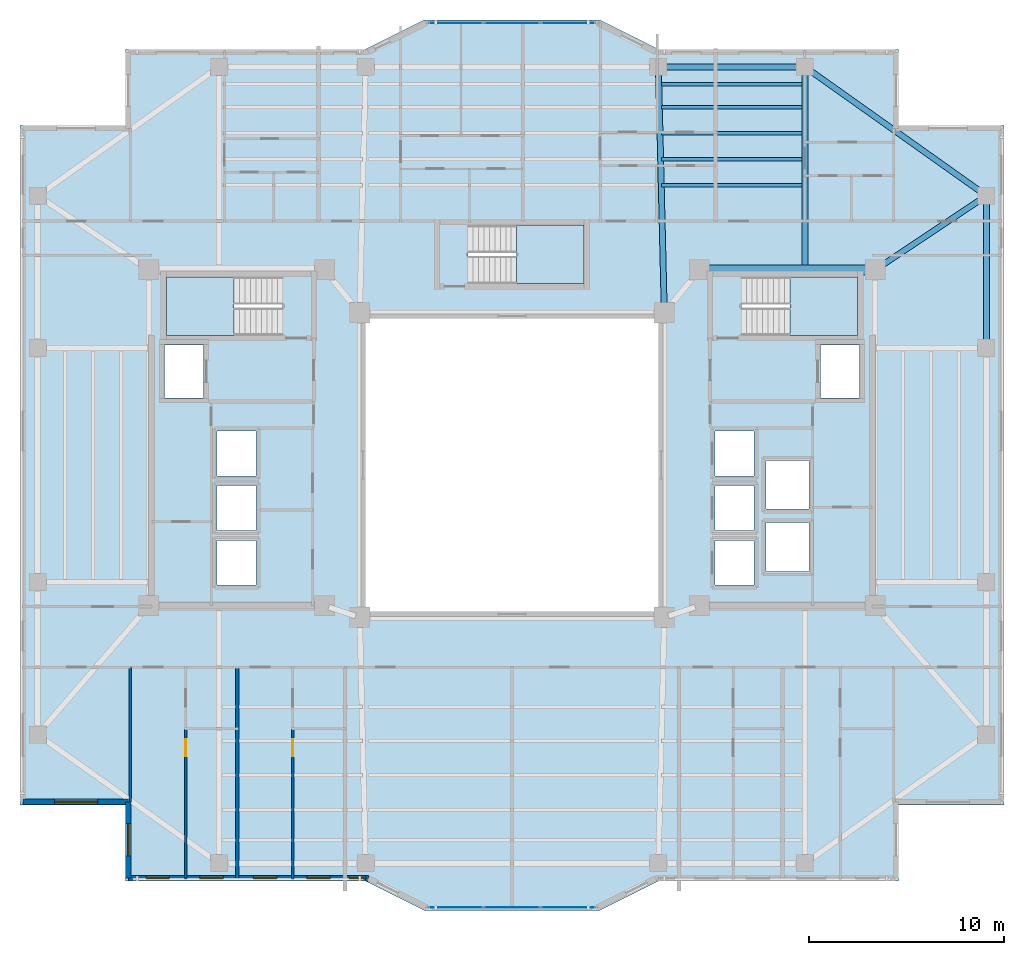
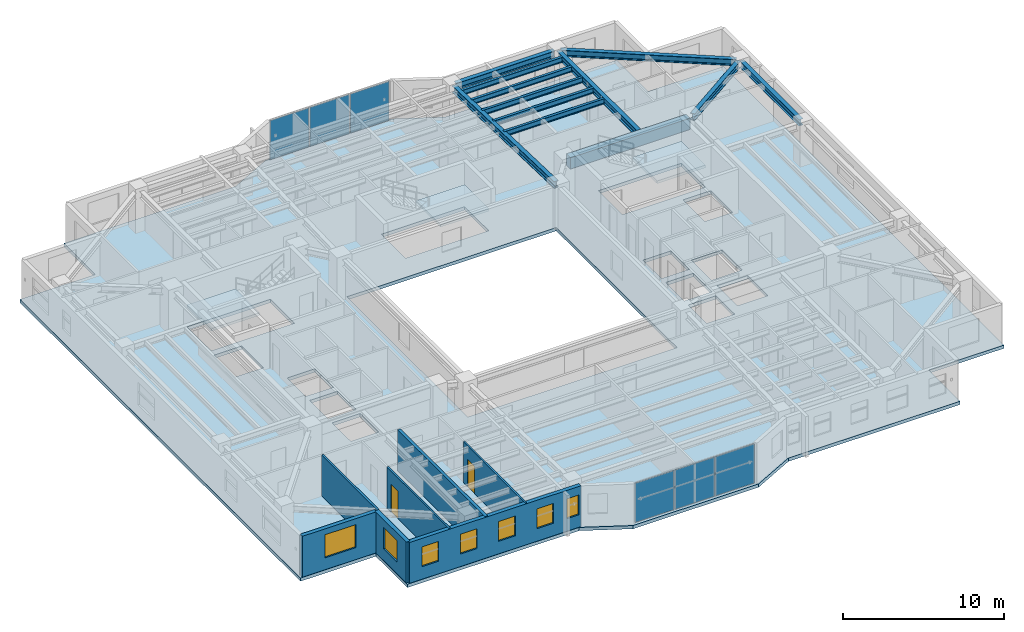
# One storey, part 5 of 16: 12 beams, 7 walls, 7 windows, 6 plates, 4 slabs, 2 doors, 9 openings, 5 elements without a shape of their own.
"""IFC4 building model written with IfcOpenShell, lengths in metres."""

from ifc_helpers import new_model, si_unit, direction, frame, frame_2d, origin, origin_2d, place, context, subcontext, project, spatial, polyline, rectangle, i_section, outline, extrude, material, layer, layer_set, material_profile, profile_set, type_object, element, fill, aggregate, save


model = new_model("IFC4")

# Units and contexts
model_context = context("Model", 3, precision=1e-05, world=origin(), true_north=direction((0.0, 1.0)))
body_context = subcontext(model_context, "Body", "Model", "MODEL_VIEW")
ifc_project = project(units=[si_unit("LENGTHUNIT", "METRE"), si_unit("AREAUNIT", "SQUARE_METRE"), si_unit("VOLUMEUNIT", "CUBIC_METRE"), si_unit("PLANEANGLEUNIT", "RADIAN"), si_unit("MASSUNIT", "GRAM", prefix="KILO")], contexts=[model_context])

# Site, building, storey
site_placement = place(None, origin())
site = spatial("IfcSite", under=ifc_project, at=site_placement, CompositionType="ELEMENT")
building_placement = place(site_placement, origin())
building = spatial("IfcBuilding", under=site, at=building_placement, Name="Tarnavaz Court Tower", CompositionType="ELEMENT")
storey_placement = place(building_placement, frame((0.0, 0.0, 152.699951171875)))
storey = spatial("IfcBuildingStorey", under=building, at=storey_placement, Name="L41", CompositionType="ELEMENT", Elevation=152.699951171875)

# Beams
ifc_material_1 = material(Name="Concrete C50/60", Category="concrete")
ifc_material_profile_1 = material_profile(ifc_material_1, rectangle(XDim=0.5, YDim=0.85009765625, at=origin_2d()), Name="RC 500X850")
ifc_profile_set_1 = profile_set([ifc_material_profile_1], Name="Concrete C50/60")
beam_type_1 = type_object("IfcBeamType", Name="BM-CB850", PredefinedType="LINTEL", material=ifc_profile_set_1)
beam_1_placement = place(storey_placement, frame((18.3798828125, 10.0, 2.675048828125), z_axis=(-1.0, 0.0, 0.0), x_axis=(0.0, -1.0, 0.0)))
element("IfcBeam", 1, at=beam_1_placement, inside=storey, type_object=beam_type_1, Name="L41 Beam IN-CE-NO-CE-NI", PredefinedType="LINTEL", context=body_context, shape_type="SweptSolid", body=[
    extrude(rectangle(XDim=0.5, YDim=0.85009765625, at=origin_2d()), origin(), (0.0, 0.0, 1.0), 8.559814453125),
])
ifc_material_2 = material(Name="Steel S355", Category="steel")
ifc_material_profile_2 = material_profile(ifc_material_2, i_section(OverallWidth=0.300048828125, OverallDepth=0.5, WebThickness=0.014404296875, FlangeThickness=0.028076171875, FilletRadius=0.027099609375, at=origin_2d()), Name="HEB 500")
ifc_profile_set_2 = profile_set([ifc_material_profile_2], Name="Steel S355")
beam_type_2 = type_object("IfcBeamType", Name="BM-G-HEB500", PredefinedType="USERDEFINED", material=ifc_profile_set_2)
beam_2_placement = place(storey_placement, frame((7.794921875, 8.02001953125, 2.85009765625), z_axis=(-0.023824748444, 0.999716150395, 0.0), x_axis=(-0.999716150395, -0.023824748444, 0.0)))
element("IfcBeam", 2, at=beam_2_placement, inside=storey, type_object=beam_type_2, Name="L41 Beam RG-03", ObjectType="GIRDER", PredefinedType="USERDEFINED", context=body_context, shape_type="SweptSolid", body=[
    extrude(i_section(OverallWidth=0.300048828125, OverallDepth=0.5, WebThickness=0.014404296875, FlangeThickness=0.028076171875, FilletRadius=0.027099609375, at=origin_2d()), origin(), (0.0, 0.0, 1.0), 12.16357421875),
])
beam_3_placement = place(storey_placement, frame((15.0, 10.0400390625, 2.85009765625), z_axis=(0.0, 1.0, 0.0), x_axis=(-1.0, 0.0, 0.0)))
element("IfcBeam", 3, at=beam_3_placement, inside=storey, type_object=beam_type_2, Name="L41 Beam RG-04", ObjectType="GIRDER", PredefinedType="USERDEFINED", context=body_context, shape_type="SweptSolid", body=[
    extrude(i_section(OverallWidth=0.300048828125, OverallDepth=0.5, WebThickness=0.014404296875, FlangeThickness=0.028076171875, FilletRadius=0.027099609375, at=origin_2d()), origin(), (0.0, 0.0, 1.0), 10.139892578125),
])
beam_4_placement = place(storey_placement, frame((18.783203125, 10.1220703125, 2.85009765625), z_axis=(0.832044435051, 0.554708985056, 0.0), x_axis=(-0.554708985056, 0.832044435051, 0.0)))
element("IfcBeam", 4, at=beam_4_placement, inside=storey, type_object=beam_type_2, Name="L41 Beam RG-12", ObjectType="GIRDER", PredefinedType="USERDEFINED", context=body_context, shape_type="SweptSolid", body=[
    extrude(i_section(OverallWidth=0.300048828125, OverallDepth=0.5, WebThickness=0.014404296875, FlangeThickness=0.028076171875, FilletRadius=0.027099609375, at=origin_2d()), origin(), (0.0, 0.0, 1.0), 6.410400390625),
])
ifc_material_profile_3 = material_profile(ifc_material_2, i_section(OverallWidth=0.179931640625, OverallDepth=0.39990234375, WebThickness=0.008544921875, FlangeThickness=0.013427734375, FilletRadius=0.02099609375, at=origin_2d()), Name="IPE 400")
ifc_profile_set_3 = profile_set([ifc_material_profile_3], Name="Steel S355")
beam_type_3 = type_object("IfcBeamType", Name="BM-J-IPE400", PredefinedType="JOIST", material=ifc_profile_set_3)
for number, where, z_axis, x_axis, name in (
    (5, (7.64990234375, 14.33203125, 2.900146484375), (1.0, 0.0, 0.0), (0.0, 1.0, 0.0), "L41 Beam JN1-3"),
    (6, (7.64990234375, 15.6640625, 2.900146484375), (1.0, 0.0, 0.0), (0.0, 1.0, 0.0), "L41 Beam JN2-3"),
    (7, (7.64990234375, 16.99609375, 2.900146484375), (1.0, 0.0, 0.0), (0.0, 1.0, 0.0), "L41 Beam JN3-3"),
    (8, (7.64990234375, 18.327880859375, 2.900146484375), (1.0, 0.0, 0.0), (0.0, 1.0, 0.0), "L41 Beam JN4-3"),
    (9, (7.64990234375, 19.511962890625, 2.900146484375), (1.0, 0.0, 0.0), (0.0, 1.0, 0.0), "L41 Beam JN5-3"),
):
    element("IfcBeam", number, at=place(storey_placement, frame(where, z_axis=z_axis, x_axis=x_axis)), inside=storey, type_object=beam_type_3, Name=name, PredefinedType="JOIST", context=body_context, shape_type="SweptSolid", body=[
        extrude(i_section(OverallWidth=0.179931640625, OverallDepth=0.39990234375, WebThickness=0.008544921875, FlangeThickness=0.013427734375, FilletRadius=0.02099609375, at=origin_2d()), origin(), (0.0, 0.0, 1.0), 7.2001953125),
    ])
ifc_material_profile_4 = material_profile(ifc_material_2, i_section(OverallWidth=0.300048828125, OverallDepth=0.489990234375, WebThickness=0.011962890625, FlangeThickness=0.02294921875, FilletRadius=0.027099609375, at=origin_2d()), Name="HEA 500")
ifc_profile_set_4 = profile_set([ifc_material_profile_4], Name="Steel S355")
beam_type_4 = type_object("IfcBeamType", Name="BM-SP-HEA500", PredefinedType="SPANDREL", material=ifc_profile_set_4)
beam_5_placement = place(storey_placement, frame((7.719970703125, 20.39990234375, 2.85498046875), z_axis=(1.0, 0.0, 0.0), x_axis=(0.0, 1.0, 0.0)))
element("IfcBeam", 10, at=beam_5_placement, inside=storey, type_object=beam_type_4, Name="L41 Beam PR-PN-3-PN-4", PredefinedType="SPANDREL", context=body_context, shape_type="SweptSolid", body=[
    extrude(i_section(OverallWidth=0.300048828125, OverallDepth=0.489990234375, WebThickness=0.011962890625, FlangeThickness=0.02294921875, FilletRadius=0.027099609375, at=origin_2d()), origin(), (0.0, 0.0, 1.0), 7.06005859375),
])
beam_6_placement = place(storey_placement, frame((24.300048828125, 6.219970703125, 2.85498046875), z_axis=(0.0, 1.0, 0.0), x_axis=(-1.0, 0.0, 0.0)))
element("IfcBeam", 11, at=beam_6_placement, inside=storey, type_object=beam_type_4, Name="L41 Beam PR-PE-3-PE-4", PredefinedType="SPANDREL", context=body_context, shape_type="SweptSolid", body=[
    extrude(i_section(OverallWidth=0.300048828125, OverallDepth=0.489990234375, WebThickness=0.011962890625, FlangeThickness=0.02294921875, FilletRadius=0.027099609375, at=origin_2d()), origin(), (0.0, 0.0, 1.0), 7.360107421875),
])
beam_7_placement = place(storey_placement, frame((15.179443359375, 20.272705078125, 2.85498046875), z_axis=(0.815502059396, -0.57875417158, 0.0), x_axis=(0.57875417158, 0.815502059396, 0.0)))
element("IfcBeam", 12, at=beam_7_placement, inside=storey, type_object=beam_type_4, Name="L41 Beam PR-PN-4-PE-4", PredefinedType="SPANDREL", context=body_context, shape_type="SweptSolid", body=[
    extrude(i_section(OverallWidth=0.300048828125, OverallDepth=0.489990234375, WebThickness=0.011962890625, FlangeThickness=0.02294921875, FilletRadius=0.027099609375, at=origin_2d()), origin(), (0.0, 0.0, 1.0), 10.964111328125),
])

# Curtain wall, plates
ifc_material_3 = material(Name="Anodised Aluminium 6063-T6 and Solar Low-E Glazing", Category="aluminium")
ifc_layer_1 = layer(ifc_material_3, 0.159912109375)
ifc_layer_set_1 = layer_set([ifc_layer_1], Name="Anodised Aluminium 6063-T6 and Solar Low-E Glazing")
curtain_wall_type = type_object("IfcCurtainWallType", Name="CW-SYS-03", PredefinedType="NOTDEFINED", material=ifc_layer_set_1)
curtain_wall_1_placement = place(storey_placement, origin())
curtain_wall_1 = element("IfcCurtainWall", 13, at=curtain_wall_1_placement, inside=storey, type_object=curtain_wall_type, Name="L41 Iwan Prow Curtain Wall 7", PredefinedType="NOTDEFINED")
ifc_material_4 = material(Name="Double-Glazed Solar Low-E Glass", Category="glass")
ifc_layer_2 = layer(ifc_material_4, 0.028076171875)
ifc_layer_set_2 = layer_set([ifc_layer_2], Name="Double-Glazed Solar Low-E Glass")
plate_type = type_object("IfcPlateType", Name="CW-PAN-GLZ28", PredefinedType="CURTAIN_PANEL", material=ifc_layer_set_2)
plate_1_placement = place(storey_placement, frame((-2.88134765625, 22.64990234375, 0.06494140625), z_axis=(0.0, 0.0, 1.0), x_axis=(1.0, 0.0, 0.0)))
plate_1 = element("IfcPlate", 14, at=plate_1_placement, type_object=plate_type, Name="CW panel 1.1", PredefinedType="CURTAIN_PANEL", context=body_context, shape_type="SweptSolid", body=[
    extrude(rectangle(XDim=2.78759765625, YDim=0.028076171875, at=origin_2d()), origin(), (0.0, 0.0, 1.0), 2.969970703125),
])
plate_2_placement = place(storey_placement, frame((0.0, 22.64990234375, 0.06494140625), z_axis=(0.0, 0.0, 1.0), x_axis=(1.0, 0.0, 0.0)))
plate_2 = element("IfcPlate", 15, at=plate_2_placement, type_object=plate_type, Name="CW panel 2.1", PredefinedType="CURTAIN_PANEL", context=body_context, shape_type="SweptSolid", body=[
    extrude(rectangle(XDim=2.824951171875, YDim=0.028076171875, at=origin_2d()), origin(), (0.0, 0.0, 1.0), 2.969970703125),
])
plate_3_placement = place(storey_placement, frame((2.88134765625, 22.64990234375, 0.06494140625), z_axis=(0.0, 0.0, 1.0), x_axis=(1.0, 0.0, 0.0)))
plate_3 = element("IfcPlate", 16, at=plate_3_placement, type_object=plate_type, Name="CW panel 3.1", PredefinedType="CURTAIN_PANEL", context=body_context, shape_type="SweptSolid", body=[
    extrude(rectangle(XDim=2.78759765625, YDim=0.028076171875, at=origin_2d()), origin(), (0.0, 0.0, 1.0), 2.969970703125),
])
aggregate(curtain_wall_1, [plate_1, plate_2, plate_3])

curtain_wall_2_placement = place(storey_placement, origin())
curtain_wall_2 = element("IfcCurtainWall", 17, at=curtain_wall_2_placement, inside=storey, type_object=curtain_wall_type, Name="L41 Iwan Prow Curtain Wall 17", PredefinedType="NOTDEFINED")
plate_4_placement = place(storey_placement, frame((2.88134765625, -22.64990234375, 0.06494140625), z_axis=(0.0, 0.0, 1.0), x_axis=(-1.0, 0.0, 0.0)))
plate_4 = element("IfcPlate", 18, at=plate_4_placement, type_object=plate_type, Name="CW panel 1.1", PredefinedType="CURTAIN_PANEL", context=body_context, shape_type="SweptSolid", body=[
    extrude(rectangle(XDim=2.78759765625, YDim=0.028076171875, at=origin_2d()), origin(), (0.0, 0.0, 1.0), 2.969970703125),
])
plate_5_placement = place(storey_placement, frame((0.0, -22.64990234375, 0.06494140625), z_axis=(0.0, 0.0, 1.0), x_axis=(-1.0, 0.0, 0.0)))
plate_5 = element("IfcPlate", 19, at=plate_5_placement, type_object=plate_type, Name="CW panel 2.1", PredefinedType="CURTAIN_PANEL", context=body_context, shape_type="SweptSolid", body=[
    extrude(rectangle(XDim=2.824951171875, YDim=0.028076171875, at=origin_2d()), origin(), (0.0, 0.0, 1.0), 2.969970703125),
])
plate_6_placement = place(storey_placement, frame((-2.88134765625, -22.64990234375, 0.06494140625), z_axis=(0.0, 0.0, 1.0), x_axis=(-1.0, 0.0, 0.0)))
plate_6 = element("IfcPlate", 20, at=plate_6_placement, type_object=plate_type, Name="CW panel 3.1", PredefinedType="CURTAIN_PANEL", context=body_context, shape_type="SweptSolid", body=[
    extrude(rectangle(XDim=2.78759765625, YDim=0.028076171875, at=origin_2d()), origin(), (0.0, 0.0, 1.0), 2.969970703125),
])
aggregate(curtain_wall_2, [plate_4, plate_5, plate_6])

# Stair, slab
ifc_material_5 = material(Name="Concrete C40/50", Category="concrete")
stair_type = type_object("IfcStairType", Name="ST-TWR-20R", PredefinedType="HALF_TURN_STAIR", material=ifc_material_5)
stair_1_placement = place(storey_placement, origin())
stair_1 = element("IfcStair", 21, at=stair_1_placement, inside=storey, type_object=stair_type, Name="L41 West Core Pressurized Exit Stair ST-W1", PredefinedType="HALF_TURN_STAIR")
ifc_layer_3 = layer(ifc_material_5, 0.199951171875)
ifc_layer_set_3 = layer_set([ifc_layer_3], Name="Concrete C40/50")
slab_type_1 = type_object("IfcSlabType", Name="SL-LAND-200", PredefinedType="LANDING", material=ifc_layer_set_3)
slab_1_placement = place(storey_placement, frame((0.0, 0.0, 1.47509765625)))
slab_1 = element("IfcSlab", 22, at=slab_1_placement, type_object=slab_type_1, Name="ST-W1 landing 1", PredefinedType="LANDING", context=body_context, shape_type="SweptSolid", body=[
    extrude(outline(polyline([(-14.239990234375, 9.639892578125), (-17.699951171875, 9.639892578125), (-17.699951171875, 6.64990234375), (-14.239990234375, 6.64990234375), (-14.239990234375, 9.639892578125)])), origin(), (0.0, 0.0, 1.0), 0.199951171875),
])
aggregate(stair_1, [slab_1])

stair_2_placement = place(storey_placement, origin())
stair_2 = element("IfcStair", 23, at=stair_2_placement, inside=storey, type_object=stair_type, Name="L41 East Core Pressurized Exit Stair ST-E1", PredefinedType="HALF_TURN_STAIR")
slab_2_placement = place(storey_placement, frame((0.0, 0.0, 1.47509765625)))
slab_2 = element("IfcSlab", 24, at=slab_2_placement, type_object=slab_type_1, Name="ST-E1 landing 1", PredefinedType="LANDING", context=body_context, shape_type="SweptSolid", body=[
    extrude(outline(polyline([(14.239990234375, 6.64990234375), (17.699951171875, 6.64990234375), (17.699951171875, 9.639892578125), (14.239990234375, 9.639892578125), (14.239990234375, 6.64990234375)])), origin(), (0.0, 0.0, 1.0), 0.199951171875),
])
aggregate(stair_2, [slab_2])

stair_3_placement = place(storey_placement, origin())
stair_3 = element("IfcStair", 25, at=stair_3_placement, inside=storey, type_object=stair_type, Name="L41 North Ring Pressurized Exit Stair ST-N1", PredefinedType="HALF_TURN_STAIR")
slab_3_placement = place(storey_placement, frame((0.0, 0.0, 1.47509765625)))
slab_3 = element("IfcSlab", 26, at=slab_3_placement, type_object=slab_type_1, Name="ST-N1 landing 1", PredefinedType="LANDING", context=body_context, shape_type="SweptSolid", body=[
    extrude(outline(polyline([(0.239990234375, 9.300048828125), (3.699951171875, 9.300048828125), (3.699951171875, 12.2900390625), (0.239990234375, 12.2900390625), (0.239990234375, 9.300048828125)])), origin(), (0.0, 0.0, 1.0), 0.199951171875),
])
aggregate(stair_3, [slab_3])

# Slab
ifc_layer_4 = layer(ifc_material_5, 0.25)
ifc_layer_set_4 = layer_set([ifc_layer_4], Name="Concrete C40/50")
slab_type_2 = type_object("IfcSlabType", Name="SL-RES-250", PredefinedType="FLOOR", material=ifc_layer_set_4)
slab_4_placement = place(storey_placement, frame((0.0, 0.0, -0.25)))
element("IfcSlab", 27, at=slab_4_placement, inside=storey, type_object=slab_type_2, Name="L41 Structural Floor Slab", PredefinedType="FLOOR", context=body_context, shape_type="SweptSolid", body=[
    extrude(outline(polyline([(-19.800048828125, -21.300048828125), (-7.5, -21.300048828125), (-4.5, -22.800048828125), (4.5, -22.800048828125), (7.5, -21.300048828125), (19.800048828125, -21.300048828125), (19.800048828125, -17.39990234375), (25.199951171875, -17.39990234375), (25.199951171875, 17.39990234375), (19.800048828125, 17.39990234375), (19.800048828125, 21.300048828125), (7.5, 21.300048828125), (4.5, 22.800048828125), (-4.5, 22.800048828125), (-7.5, 21.300048828125), (-19.800048828125, 21.300048828125), (-19.800048828125, 17.39990234375), (-25.199951171875, 17.39990234375), (-25.199951171875, -17.39990234375), (-19.800048828125, -17.39990234375), (-19.800048828125, -21.300048828125)]), holes=[polyline([(-7.5, -7.5), (7.5, -7.5), (7.5, 7.5), (-7.5, 7.5), (-7.5, -7.5)]), polyline([(-11.7451171875, 9.639892578125), (-17.699951171875, 9.639892578125), (-17.699951171875, 6.64990234375), (-11.7451171875, 6.64990234375), (-11.7451171875, 9.639892578125)]), polyline([(11.7451171875, 6.64990234375), (17.699951171875, 6.64990234375), (17.699951171875, 9.639892578125), (11.7451171875, 9.639892578125), (11.7451171875, 6.64990234375)]), polyline([(-2.2548828125, 9.300048828125), (3.699951171875, 9.300048828125), (3.699951171875, 12.2900390625), (-2.2548828125, 12.2900390625), (-2.2548828125, 9.300048828125)]), polyline([(-17.800048828125, 3.449951171875), (-15.800048828125, 3.449951171875), (-15.800048828125, 6.14990234375), (-17.800048828125, 6.14990234375), (-17.800048828125, 3.449951171875)]), polyline([(-15.10009765625, -6.14990234375), (-13.10009765625, -6.14990234375), (-13.10009765625, -3.85009765625), (-15.10009765625, -3.85009765625), (-15.10009765625, -6.14990234375)]), polyline([(-15.10009765625, -3.35009765625), (-13.10009765625, -3.35009765625), (-13.10009765625, -1.050048828125), (-15.10009765625, -1.050048828125), (-15.10009765625, -3.35009765625)]), polyline([(-15.10009765625, -0.550048828125), (-13.10009765625, -0.550048828125), (-13.10009765625, 1.75), (-15.10009765625, 1.75), (-15.10009765625, -0.550048828125)]), polyline([(15.800048828125, 3.449951171875), (17.800048828125, 3.449951171875), (17.800048828125, 6.14990234375), (15.800048828125, 6.14990234375), (15.800048828125, 3.449951171875)]), polyline([(10.39990234375, -6.14990234375), (12.39990234375, -6.14990234375), (12.39990234375, -3.85009765625), (10.39990234375, -3.85009765625), (10.39990234375, -6.14990234375)]), polyline([(10.39990234375, -3.35009765625), (12.39990234375, -3.35009765625), (12.39990234375, -1.050048828125), (10.39990234375, -1.050048828125), (10.39990234375, -3.35009765625)]), polyline([(10.39990234375, -0.550048828125), (12.39990234375, -0.550048828125), (12.39990234375, 1.75), (10.39990234375, 1.75), (10.39990234375, -0.550048828125)]), polyline([(13.0, -5.449951171875), (15.199951171875, -5.449951171875), (15.199951171875, -2.949951171875), (13.0, -2.949951171875), (13.0, -5.449951171875)]), polyline([(13.0, -2.25), (15.199951171875, -2.25), (15.199951171875, 0.25), (13.0, 0.25), (13.0, -2.25)])]), origin(), (0.0, 0.0, 1.0), 0.25),
])

# Wall, opening, window
ifc_material_6 = material(Name="Precast Concrete C40/50", Category="concrete")
ifc_layer_5 = layer(ifc_material_6, 0.280029296875)
ifc_layer_set_5 = layer_set([ifc_layer_5], Name="Precast Concrete C40/50")
wall_type_1 = type_object("IfcWallType", Name="WL-EXT-280", PredefinedType="SOLIDWALL", material=ifc_layer_set_5)
wall_1_placement = place(storey_placement, frame((-19.64990234375, -17.25, 0.0), z_axis=(0.0, 0.0, 1.0), x_axis=(-1.0, 0.0, 0.0)))
wall_1 = element("IfcWall", 28, at=wall_1_placement, inside=storey, type_object=wall_type_1, Name="L41 Exterior Terracotta Facade Wall 01", PredefinedType="SOLIDWALL", context=body_context, shape_type="SweptSolid", body=[
    extrude(rectangle(XDim=5.400146484375, YDim=0.280029296875, at=frame_2d((2.7001953125, 0.0))), origin(), (0.0, 0.0, 1.0), 3.10009765625),
])
opening_1_placement = place(wall_1_placement, frame((1.574951171875, 0.0, 0.89990234375)))
opening_1 = element("IfcOpeningElement", 29, at=opening_1_placement, cuts=wall_1, Name="Opening W07", PredefinedType="OPENING", context=body_context, shape_type="SweptSolid", body=[
    extrude(rectangle(XDim=2.199951171875, YDim=1.75, at=frame_2d((1.10009765625, 0.875))), frame((0.0, 0.14990234375, 0.0), z_axis=(0.0, -1.0, 0.0), x_axis=(1.0, 0.0, 0.0)), (0.0, 0.0, 1.0), 0.300048828125),
])
window_type_1 = type_object("IfcWindowType", Name="WN-APT-2200", PartitioningType="TRIPLE_PANEL_VERTICAL", PredefinedType="WINDOW", material=ifc_material_4)
window_1_placement = place(opening_1_placement, origin())
window_1 = element("IfcWindow", 30, at=window_1_placement, inside=storey, type_object=window_type_1, Name="L41 South-West Corner Reading Room Window", OverallHeight=1.75, OverallWidth=2.199951171875, PartitioningType="SINGLE_PANEL", PredefinedType="WINDOW", context=body_context, shape_type="SweptSolid", body=[
    extrude(rectangle(XDim=2.199951171875, YDim=1.75, at=frame_2d((1.10009765625, 0.875))), frame((0.0, 0.030029296875, 0.0), z_axis=(0.0, -1.0, 0.0), x_axis=(1.0, 0.0, 0.0)), (0.0, 0.0, 1.0), 0.06005859375),
])
fill(opening_1, window_1)

# Wall, openings, windows
wall_2_placement = place(storey_placement, frame((-7.35009765625, -21.14990234375, 0.0), z_axis=(0.0, 0.0, 1.0), x_axis=(-1.0, 0.0, 0.0)))
wall_2 = element("IfcWall", 31, at=wall_2_placement, inside=storey, type_object=wall_type_1, Name="L41 Exterior Terracotta Facade Wall 19", PredefinedType="SOLIDWALL", context=body_context, shape_type="SweptSolid", body=[
    extrude(rectangle(XDim=12.2998046875, YDim=0.280029296875, at=frame_2d((6.14990234375, 0.0))), origin(), (0.0, 0.0, 1.0), 3.10009765625),
])
opening_2_placement = place(wall_2_placement, frame((0.147216796875, 0.0, 0.949951171875)))
opening_2 = element("IfcOpeningElement", 32, at=opening_2_placement, cuts=wall_2, Name="Opening W15", PredefinedType="OPENING", context=body_context, shape_type="SweptSolid", body=[
    extrude(rectangle(XDim=0.85009765625, YDim=1.5, at=frame_2d((0.425048828125, 0.75))), frame((0.0, 0.14990234375, 0.0), z_axis=(0.0, -1.0, 0.0), x_axis=(1.0, 0.0, 0.0)), (0.0, 0.0, 1.0), 0.300048828125),
])
opening_3_placement = place(wall_2_placement, frame((1.96044921875, 0.0, 0.949951171875)))
opening_3 = element("IfcOpeningElement", 33, at=opening_3_placement, cuts=wall_2, Name="Opening W05", PredefinedType="OPENING", context=body_context, shape_type="SweptSolid", body=[
    extrude(rectangle(XDim=1.199951171875, YDim=1.5, at=frame_2d((0.60009765625, 0.75))), frame((0.0, 0.14990234375, 0.0), z_axis=(0.0, -1.0, 0.0), x_axis=(1.0, 0.0, 0.0)), (0.0, 0.0, 1.0), 0.300048828125),
])
opening_4_placement = place(wall_2_placement, frame((4.696533203125, 0.0, 0.949951171875)))
opening_4 = element("IfcOpeningElement", 34, at=opening_4_placement, cuts=wall_2, Name="Opening W05", PredefinedType="OPENING", context=body_context, shape_type="SweptSolid", body=[
    extrude(rectangle(XDim=1.199951171875, YDim=1.5, at=frame_2d((0.60009765625, 0.75))), frame((0.0, 0.14990234375, 0.0), z_axis=(0.0, -1.0, 0.0), x_axis=(1.0, 0.0, 0.0)), (0.0, 0.0, 1.0), 0.300048828125),
])
opening_5_placement = place(wall_2_placement, frame((7.4326171875, 0.0, 0.949951171875)))
opening_5 = element("IfcOpeningElement", 35, at=opening_5_placement, cuts=wall_2, Name="Opening W05", PredefinedType="OPENING", context=body_context, shape_type="SweptSolid", body=[
    extrude(rectangle(XDim=1.199951171875, YDim=1.5, at=frame_2d((0.60009765625, 0.75))), frame((0.0, 0.14990234375, 0.0), z_axis=(0.0, -1.0, 0.0), x_axis=(1.0, 0.0, 0.0)), (0.0, 0.0, 1.0), 0.300048828125),
])
opening_6_placement = place(wall_2_placement, frame((10.19384765625, 0.0, 0.949951171875)))
opening_6 = element("IfcOpeningElement", 36, at=opening_6_placement, cuts=wall_2, Name="Opening W05", PredefinedType="OPENING", context=body_context, shape_type="SweptSolid", body=[
    extrude(rectangle(XDim=1.199951171875, YDim=1.5, at=frame_2d((0.60009765625, 0.75))), frame((0.0, 0.14990234375, 0.0), z_axis=(0.0, -1.0, 0.0), x_axis=(1.0, 0.0, 0.0)), (0.0, 0.0, 1.0), 0.300048828125),
])
window_type_2 = type_object("IfcWindowType", Name="WN-APT-1200", PartitioningType="SINGLE_PANEL", PredefinedType="WINDOW", material=ifc_material_4)
window_2_placement = place(opening_3_placement, origin())
window_2 = element("IfcWindow", 37, at=window_2_placement, inside=storey, type_object=window_type_2, Name="L41 Flat 06 Kitchen Window", OverallHeight=1.5, OverallWidth=1.199951171875, PartitioningType="SINGLE_PANEL", PredefinedType="WINDOW", context=body_context, shape_type="SweptSolid", body=[
    extrude(rectangle(XDim=1.199951171875, YDim=1.5, at=frame_2d((0.60009765625, 0.75))), frame((0.0, 0.030029296875, 0.0), z_axis=(0.0, -1.0, 0.0), x_axis=(1.0, 0.0, 0.0)), (0.0, 0.0, 1.0), 0.06005859375),
])
fill(opening_3, window_2)
window_3_placement = place(opening_4_placement, origin())
window_3 = element("IfcWindow", 38, at=window_3_placement, inside=storey, type_object=window_type_2, Name="L41 Flat 06 Studio Living and Sleeping Room Window", OverallHeight=1.5, OverallWidth=1.199951171875, PartitioningType="SINGLE_PANEL", PredefinedType="WINDOW", context=body_context, shape_type="SweptSolid", body=[
    extrude(rectangle(XDim=1.199951171875, YDim=1.5, at=frame_2d((0.60009765625, 0.75))), frame((0.0, 0.030029296875, 0.0), z_axis=(0.0, -1.0, 0.0), x_axis=(1.0, 0.0, 0.0)), (0.0, 0.0, 1.0), 0.06005859375),
])
fill(opening_4, window_3)
window_4_placement = place(opening_5_placement, origin())
window_4 = element("IfcWindow", 39, at=window_4_placement, inside=storey, type_object=window_type_2, Name="L41 Flat 05 Kitchen Window", OverallHeight=1.5, OverallWidth=1.199951171875, PartitioningType="SINGLE_PANEL", PredefinedType="WINDOW", context=body_context, shape_type="SweptSolid", body=[
    extrude(rectangle(XDim=1.199951171875, YDim=1.5, at=frame_2d((0.60009765625, 0.75))), frame((0.0, 0.030029296875, 0.0), z_axis=(0.0, -1.0, 0.0), x_axis=(1.0, 0.0, 0.0)), (0.0, 0.0, 1.0), 0.06005859375),
])
fill(opening_5, window_4)
window_5_placement = place(opening_6_placement, origin())
window_5 = element("IfcWindow", 40, at=window_5_placement, inside=storey, type_object=window_type_2, Name="L41 Flat 05 Studio Living and Sleeping Room Window", OverallHeight=1.5, OverallWidth=1.199951171875, PartitioningType="SINGLE_PANEL", PredefinedType="WINDOW", context=body_context, shape_type="SweptSolid", body=[
    extrude(rectangle(XDim=1.199951171875, YDim=1.5, at=frame_2d((0.60009765625, 0.75))), frame((0.0, 0.030029296875, 0.0), z_axis=(0.0, -1.0, 0.0), x_axis=(1.0, 0.0, 0.0)), (0.0, 0.0, 1.0), 0.06005859375),
])
fill(opening_6, window_5)
window_type_3 = type_object("IfcWindowType", Name="WN-APT-850", PartitioningType="SINGLE_PANEL", PredefinedType="WINDOW", material=ifc_material_4)
window_6_placement = place(opening_2_placement, origin())
window_6 = element("IfcWindow", 41, at=window_6_placement, inside=storey, type_object=window_type_3, Name="L41 South Courtyard Majlis Lounge Window", OverallHeight=1.5, OverallWidth=0.85009765625, PartitioningType="SINGLE_PANEL", PredefinedType="WINDOW", context=body_context, shape_type="SweptSolid", body=[
    extrude(rectangle(XDim=0.85009765625, YDim=1.5, at=frame_2d((0.425048828125, 0.75))), frame((0.0, 0.030029296875, 0.0), z_axis=(0.0, -1.0, 0.0), x_axis=(1.0, 0.0, 0.0)), (0.0, 0.0, 1.0), 0.06005859375),
])
fill(opening_2, window_6)

# Wall, opening, window
wall_3_placement = place(storey_placement, frame((-19.64990234375, -21.14990234375, 0.0), z_axis=(0.0, 0.0, 1.0), x_axis=(0.0, 1.0, 0.0)))
wall_3 = element("IfcWall", 42, at=wall_3_placement, inside=storey, type_object=wall_type_1, Name="L41 Exterior Terracotta Facade Wall 20", PredefinedType="SOLIDWALL", context=body_context, shape_type="SweptSolid", body=[
    extrude(rectangle(XDim=3.89990234375, YDim=0.280029296875, at=frame_2d((1.949951171875, 0.0))), origin(), (0.0, 0.0, 1.0), 3.10009765625),
])
opening_7_placement = place(wall_3_placement, frame((1.142822265625, 0.0, 0.89990234375)))
opening_7 = element("IfcOpeningElement", 43, at=opening_7_placement, cuts=wall_3, Name="Opening W02", PredefinedType="OPENING", context=body_context, shape_type="SweptSolid", body=[
    extrude(rectangle(XDim=1.64990234375, YDim=1.60009765625, at=frame_2d((0.824951171875, 0.800048828125))), frame((0.0, 0.14990234375, 0.0), z_axis=(0.0, -1.0, 0.0), x_axis=(1.0, 0.0, 0.0)), (0.0, 0.0, 1.0), 0.300048828125),
])
window_type_4 = type_object("IfcWindowType", Name="WN-APT-1650", PartitioningType="DOUBLE_PANEL_VERTICAL", PredefinedType="WINDOW", material=ifc_material_4)
window_7_placement = place(opening_7_placement, origin())
window_7 = element("IfcWindow", 44, at=window_7_placement, inside=storey, type_object=window_type_4, Name="L41 Flat 05 Studio Living and Sleeping Room Window", OverallHeight=1.60009765625, OverallWidth=1.64990234375, PartitioningType="SINGLE_PANEL", PredefinedType="WINDOW", context=body_context, shape_type="SweptSolid", body=[
    extrude(rectangle(XDim=1.64990234375, YDim=1.60009765625, at=frame_2d((0.824951171875, 0.800048828125))), frame((0.0, 0.030029296875, 0.0), z_axis=(0.0, -1.0, 0.0), x_axis=(1.0, 0.0, 0.0)), (0.0, 0.0, 1.0), 0.06005859375),
])
fill(opening_7, window_7)

# Wall
ifc_material_7 = material(Name="Autoclaved Aerated Concrete Blockwork", Category="masonry")
ifc_layer_6 = layer(ifc_material_7, 0.199951171875)
ifc_layer_set_6 = layer_set([ifc_layer_6], Name="Autoclaved Aerated Concrete Blockwork")
wall_type_2 = type_object("IfcWallType", Name="WL-FIRE-200", PredefinedType="SOLIDWALL", material=ifc_layer_set_6)
wall_4_placement = place(storey_placement, frame((-14.074951171875, -21.199951171875, 0.0), z_axis=(0.0, 0.0, 1.0), x_axis=(0.0, 1.0, 0.0)))
element("IfcWall", 45, at=wall_4_placement, inside=storey, type_object=wall_type_2, Name="L41 Party Wall 100", PredefinedType="SOLIDWALL", context=body_context, shape_type="SweptSolid", body=[
    extrude(rectangle(XDim=10.849853515625, YDim=0.199951171875, at=frame_2d((5.4248046875, 0.0))), origin(), (0.0, 0.0, 1.0), 3.10009765625),
])

# Wall, opening, door
ifc_material_8 = material(Name="Moisture-Resistant Gypsum Board Partition", Category="masonry")
ifc_layer_7 = layer(ifc_material_8, 0.1201171875)
ifc_layer_set_7 = layer_set([ifc_layer_7], Name="Moisture-Resistant Gypsum Board Partition")
wall_type_3 = type_object("IfcWallType", Name="WL-PART-120", PredefinedType="PARTITIONING", material=ifc_layer_set_7)
wall_5_placement = place(storey_placement, frame((-16.705078125, -21.199951171875, 0.0), z_axis=(0.0, 0.0, 1.0), x_axis=(0.0, 1.0, 0.0)))
wall_5 = element("IfcWall", 46, at=wall_5_placement, inside=storey, type_object=wall_type_3, Name="L41 Interior Partition 101", PredefinedType="PARTITIONING", context=body_context, shape_type="SweptSolid", body=[
    extrude(rectangle(XDim=7.68994140625, YDim=0.1201171875, at=frame_2d((3.844970703125, 0.0))), origin(), (0.0, 0.0, 1.0), 3.10009765625),
])
opening_8_placement = place(wall_5_placement, frame((6.2900390625, 0.0, 0.0)))
opening_8 = element("IfcOpeningElement", 47, at=opening_8_placement, cuts=wall_5, Name="Opening D14", PredefinedType="OPENING", context=body_context, shape_type="SweptSolid", body=[
    extrude(rectangle(XDim=0.8798828125, YDim=2.10009765625, at=frame_2d((0.43994140625, 1.050048828125))), frame((0.0, 0.070068359375, 0.0), z_axis=(0.0, -1.0, 0.0), x_axis=(1.0, 0.0, 0.0)), (0.0, 0.0, 1.0), 0.14013671875),
])
ifc_material_9 = material(Name="Engineered Oak Timber", Category="wood")
door_type = type_object("IfcDoorType", Name="DR-INT-900", OperationType="NOTDEFINED", PredefinedType="DOOR", material=ifc_material_9)
door_1_placement = place(opening_8_placement, origin())
door_1 = element("IfcDoor", 48, at=door_1_placement, inside=storey, type_object=door_type, Name="L41 Flat 05 Kitchen Door", OperationType="SINGLE_SWING_RIGHT", OverallHeight=2.10009765625, OverallWidth=0.8798828125, PredefinedType="DOOR", context=body_context, shape_type="SweptSolid", body=[
    extrude(rectangle(XDim=0.8798828125, YDim=2.10009765625, at=frame_2d((0.43994140625, 1.050048828125))), frame((0.0, 0.02490234375, 0.0), z_axis=(0.0, -1.0, 0.0), x_axis=(1.0, 0.0, 0.0)), (0.0, 0.0, 1.0), 0.050048828125),
])
fill(opening_8, door_1)

wall_6_placement = place(storey_placement, frame((-11.22998046875, -21.199951171875, 0.0), z_axis=(0.0, 0.0, 1.0), x_axis=(0.0, 1.0, 0.0)))
wall_6 = element("IfcWall", 49, at=wall_6_placement, inside=storey, type_object=wall_type_3, Name="L41 Interior Partition 104", PredefinedType="PARTITIONING", context=body_context, shape_type="SweptSolid", body=[
    extrude(rectangle(XDim=7.68994140625, YDim=0.1201171875, at=frame_2d((3.844970703125, 0.0))), origin(), (0.0, 0.0, 1.0), 3.10009765625),
])
opening_9_placement = place(wall_6_placement, frame((6.2900390625, 0.0, 0.0)))
opening_9 = element("IfcOpeningElement", 50, at=opening_9_placement, cuts=wall_6, Name="Opening D14", PredefinedType="OPENING", context=body_context, shape_type="SweptSolid", body=[
    extrude(rectangle(XDim=0.8798828125, YDim=2.10009765625, at=frame_2d((0.43994140625, 1.050048828125))), frame((0.0, 0.070068359375, 0.0), z_axis=(0.0, -1.0, 0.0), x_axis=(1.0, 0.0, 0.0)), (0.0, 0.0, 1.0), 0.14013671875),
])
door_2_placement = place(opening_9_placement, origin())
door_2 = element("IfcDoor", 51, at=door_2_placement, inside=storey, type_object=door_type, Name="L41 Flat 06 Kitchen Door", OperationType="SINGLE_SWING_LEFT", OverallHeight=2.10009765625, OverallWidth=0.8798828125, PredefinedType="DOOR", context=body_context, shape_type="SweptSolid", body=[
    extrude(rectangle(XDim=0.8798828125, YDim=2.10009765625, at=frame_2d((0.43994140625, 1.050048828125))), frame((0.0, 0.02490234375, 0.0), z_axis=(0.0, -1.0, 0.0), x_axis=(1.0, 0.0, 0.0)), (0.0, 0.0, 1.0), 0.050048828125),
])
fill(opening_9, door_2)

# Wall
ifc_material_10 = material(Name="Gypsum Plasterboard Acoustic Partition", Category="masonry")
ifc_layer_8 = layer(ifc_material_10, 0.139892578125)
ifc_layer_set_8 = layer_set([ifc_layer_8], Name="Gypsum Plasterboard Acoustic Partition")
wall_type_4 = type_object("IfcWallType", Name="WL-PART-150", PredefinedType="PARTITIONING", material=ifc_layer_set_8)
wall_7_placement = place(storey_placement, frame((-19.550048828125, -17.25, 0.0), z_axis=(0.0, 0.0, 1.0), x_axis=(0.0, 1.0, 0.0)))
element("IfcWall", 52, at=wall_7_placement, inside=storey, type_object=wall_type_4, Name="L41 Interior Partition 122", PredefinedType="PARTITIONING", context=body_context, shape_type="SweptSolid", body=[
    extrude(rectangle(XDim=6.89990234375, YDim=0.139892578125, at=frame_2d((3.449951171875, 0.0))), origin(), (0.0, 0.0, 1.0), 3.10009765625),
])

save(model, "model.ifc")
